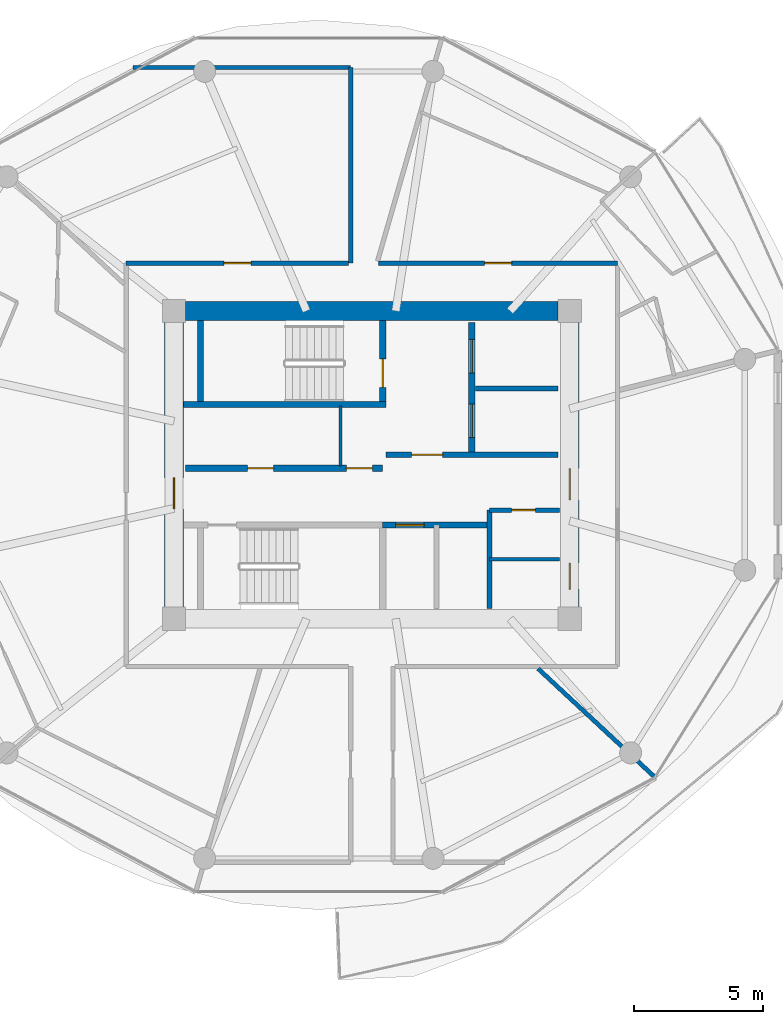
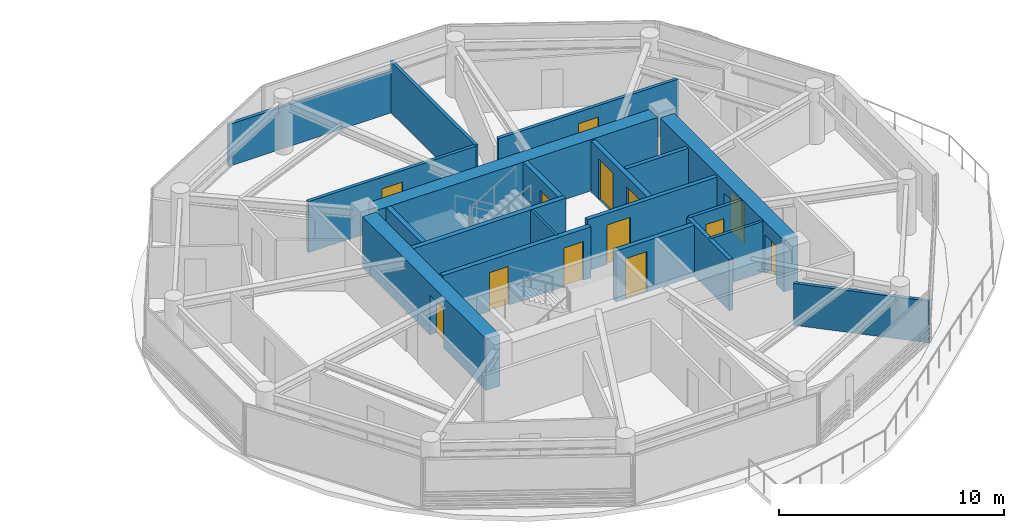
# One storey, part 16 of 22: 20 walls, 13 doors, 13 openings.
"""IFC4 building model written with IfcOpenShell, lengths in metres."""

import ifcopenshell
import ifcopenshell.guid

model = None  # the IFC model being written
_history = None  # IfcOwnerHistory: only IFC2X3 demands one
_inside = {}  # id of a spatial element -> (the spatial element, [elements in it])
_under = {}  # id of a project, library or spatial element -> (it, [spatial elements below it])
_declared = {}  # id of a project -> (the project, [libraries it declares])
_typed = {}  # id of a type object -> (the type object, [elements of that type])
_made_of = {}  # id of a material, layer set ... -> (it, [elements and type objects made of it])


def new_model(schema):
    """Start an empty IFC model of exactly this schema.

    Asked for "IFC4X3", IfcOpenShell would pick the latest addendum, in which some entities
    have other attributes; the version numbers below select the first issue.
    IFC2X3 requires an IfcOwnerHistory on every rooted entity: one is made here for all.
    """
    global model, _history
    if schema == "IFC4X3":
        model = ifcopenshell.file(schema_version=(4, 3, 0, 0))
    else:
        model = ifcopenshell.file(schema=schema)
    _inside.clear()
    _under.clear()
    _declared.clear()
    _typed.clear()
    _made_of.clear()
    _history = None
    if model.schema == "IFC2X3":
        org = make("IfcOrganization", Name="unknown")
        user = make(
            "IfcPersonAndOrganization",
            ThePerson=make("IfcPerson", FamilyName="unknown"),
            TheOrganization=org,
        )
        app = make(
            "IfcApplication",
            ApplicationDeveloper=org,
            Version="unknown",
            ApplicationFullName="unknown",
            ApplicationIdentifier="unknown",
        )
        _history = make(
            "IfcOwnerHistory",
            OwningUser=user,
            OwningApplication=app,
            ChangeAction="ADDED",
            CreationDate=0,
        )
    return model


def make(cls, **values):
    """One entity of the class cls with the attributes given. An attribute that is None is left unset."""
    return model.create_entity(
        cls, **{name: value for name, value in values.items() if value is not None}
    )


def rooted(cls, **values):
    """An entity with a GlobalId (a new one), such as an element, a storey or a relation."""
    return make(cls, GlobalId=ifcopenshell.guid.new(), OwnerHistory=_history, **values)


def si_unit(unit_type, name, prefix=None):
    """IfcSIUnit, for example si_unit("LENGTHUNIT", "METRE", prefix="MILLI")."""
    return make("IfcSIUnit", UnitType=unit_type, Prefix=prefix, Name=name)


def assignment(units):
    """IfcUnitAssignment: the units of a project."""
    return None if units is None else make("IfcUnitAssignment", Units=units)


def point(xyz):
    """IfcCartesianPoint."""
    return None if xyz is None else make("IfcCartesianPoint", Coordinates=xyz)


def direction(xyz):
    """IfcDirection."""
    return None if xyz is None else make("IfcDirection", DirectionRatios=xyz)


def frame(location, z_axis=None, x_axis=None):
    """IfcAxis2Placement3D, a coordinate frame: its origin and axes. An axis left out is left unset."""
    return make(
        "IfcAxis2Placement3D",
        Location=point(location),
        Axis=direction(z_axis),
        RefDirection=direction(x_axis),
    )


def frame_2d(location, x_axis=None):
    """IfcAxis2Placement2D, a coordinate frame in the plane: its origin and x axis."""
    return make(
        "IfcAxis2Placement2D", Location=point(location), RefDirection=direction(x_axis)
    )


def origin():
    """The frame at (0, 0, 0) with its axes left unset."""
    return frame((0.0, 0.0, 0.0))


def place(relative_to, where):
    """IfcLocalPlacement: puts the frame where relative to a parent placement (None: the world)."""
    return make(
        "IfcLocalPlacement", PlacementRelTo=relative_to, RelativePlacement=where
    )


def context(
    kind, dimensions, precision=None, world=None, true_north=None, identifier=None
):
    """IfcGeometricRepresentationContext, for example the 3D "Model" context."""
    return make(
        "IfcGeometricRepresentationContext",
        ContextIdentifier=identifier,
        ContextType=kind,
        CoordinateSpaceDimension=dimensions,
        Precision=precision,
        WorldCoordinateSystem=world,
        TrueNorth=true_north,
    )


def subcontext(parent, identifier, kind, view, scale=None):
    """IfcGeometricRepresentationSubContext, for example "Body" below "Model"."""
    return make(
        "IfcGeometricRepresentationSubContext",
        ContextIdentifier=identifier,
        ContextType=kind,
        ParentContext=parent,
        TargetScale=scale,
        TargetView=view,
    )


def project(units=None, contexts=None):
    """IfcProject with its units and contexts."""
    return rooted(
        "IfcProject",
        Name="project",
        RepresentationContexts=contexts,
        UnitsInContext=assignment(units),
    )


def spatial(cls, under=None, at=None, **own):
    """A site, building, storey or space (cls), placed at a placement, below another one or the project."""
    s = rooted(cls, ObjectPlacement=at, **own)
    if under is not None:
        _under.setdefault(under.id(), (under, []))[1].append(s)
    return s


def profile(cls, at=None, kind="AREA", **sizes):
    """A parametric profile (cls). Its sizes go by their IFC names, for example OverallWidth=200.0."""
    return make(cls, ProfileType=kind, Position=at, **sizes)


def rectangle(**sizes):
    """IfcRectangleProfileDef."""
    return profile("IfcRectangleProfileDef", **sizes)


def extrude(swept, where, along, depth):
    """IfcExtrudedAreaSolid: the profile swept, set in the frame where, extruded along a direction by depth."""
    return make(
        "IfcExtrudedAreaSolid",
        SweptArea=swept,
        Position=where,
        ExtrudedDirection=direction(along),
        Depth=depth,
    )


def shape(context_of_items, identifier, shape_type, items):
    """IfcShapeRepresentation: the items that make up one representation, for example the "Body"."""
    return make(
        "IfcShapeRepresentation",
        ContextOfItems=context_of_items,
        RepresentationIdentifier=identifier,
        RepresentationType=shape_type,
        Items=items,
    )


def source(mapping_origin, context_of_items, identifier, shape_type, items):
    """IfcRepresentationMap: a shape defined once, which mapped items show again and again."""
    return make(
        "IfcRepresentationMap",
        MappingOrigin=mapping_origin,
        MappedRepresentation=shape(context_of_items, identifier, shape_type, items),
    )


def transform(
    local_origin,
    x_axis=None,
    y_axis=None,
    z_axis=None,
    scale=None,
    scale2=None,
    scale3=None,
    uniform=True,
):
    """IfcCartesianTransformationOperator3D, or its non-uniform kind. x_axis, y_axis, z_axis: its Axis1, 2, 3."""
    if uniform:
        return make(
            "IfcCartesianTransformationOperator3D",
            Axis1=direction(x_axis),
            Axis2=direction(y_axis),
            LocalOrigin=point(local_origin),
            Scale=scale,
            Axis3=direction(z_axis),
        )
    return make(
        "IfcCartesianTransformationOperator3DnonUniform",
        Axis1=direction(x_axis),
        Axis2=direction(y_axis),
        LocalOrigin=point(local_origin),
        Scale=scale,
        Axis3=direction(z_axis),
        Scale2=scale2,
        Scale3=scale3,
    )


def mapped(mapping_source, mapping_target):
    """IfcMappedItem: shows the shape of a source again, moved by a transform."""
    return make(
        "IfcMappedItem", MappingSource=mapping_source, MappingTarget=mapping_target
    )


def material(Name=None, Category=None):
    """IfcMaterial."""
    return make("IfcMaterial", Name=Name, Category=Category)


def layer(
    of_material, thickness, ventilated=None, Name=None, Category=None, Priority=None
):
    """IfcMaterialLayer: one layer of a wall or slab, of a material (None: an air gap)."""
    return make(
        "IfcMaterialLayer",
        Material=of_material,
        LayerThickness=thickness,
        IsVentilated=ventilated,
        Name=Name,
        Category=Category,
        Priority=Priority,
    )


def layer_set(layers, Name=None):
    """IfcMaterialLayerSet."""
    return make("IfcMaterialLayerSet", MaterialLayers=layers, LayerSetName=Name)


def made_of(thing, what):
    """Note that an element or type object is made of a material, layer set ...; save() writes the relation."""
    if what is not None:
        _made_of.setdefault(what.id(), (what, []))[1].append(thing)
    return thing


def type_object(cls, material=None, **own):
    """A type object (cls), such as IfcWallType, which elements share."""
    return made_of(rooted(cls, **own), material)


def type_shapes(of_type, sources):
    """Give a type object the sources (RepresentationMaps) that its elements show as mapped items."""
    of_type.RepresentationMaps = sources


def element(
    cls,
    number,
    at=None,
    inside=None,
    cuts=None,
    type_object=None,
    material=None,
    context=None,
    identifier="Body",
    shape_type=None,
    held_by="IfcProductDefinitionShape",
    body=None,
    shapes=None,
    **own,
):
    """One element of the class cls, such as IfcWall. Its Tag is "e" and its number.

    at: its placement. inside: the storey or other place that contains it. cuts: it is an
    opening in that element (IfcRelVoidsElement). A single representation is given by context,
    identifier, shape_type and body (its items); several are given by shapes. held_by: the class
    of the entity that holds the representations. save() writes the other relations.
    """
    e = rooted(cls, Tag="e%d" % number, ObjectPlacement=at, **own)
    if body is not None:
        shapes = [shape(context, identifier, shape_type, body)]
    if shapes is not None:
        e.Representation = make(held_by, Representations=shapes)
    if inside is not None:
        _inside.setdefault(inside.id(), (inside, []))[1].append(e)
    if cuts is not None:
        rooted(
            "IfcRelVoidsElement", RelatingBuildingElement=cuts, RelatedOpeningElement=e
        )
    if type_object is not None:
        _typed.setdefault(type_object.id(), (type_object, []))[1].append(e)
    return made_of(e, material)


def fill(opening, filler):
    """IfcRelFillsElement: the door or window that sits in an opening."""
    return rooted(
        "IfcRelFillsElement",
        RelatingOpeningElement=opening,
        RelatedBuildingElement=filler,
    )


def aggregate(whole, parts):
    """IfcRelAggregates: a whole, such as a stair, and the parts it consists of."""
    return rooted("IfcRelAggregates", RelatingObject=whole, RelatedObjects=parts)


def save(model, path):
    """Write the relations noted so far, then the file.

    IfcRelAggregates (storeys below a building ...), IfcRelContainedInSpatialStructure (elements
    in a storey), IfcRelDefinesByType, IfcRelAssociatesMaterial and IfcRelDeclares: one each for
    every whole, place, type object, material and project.
    """
    for whole, parts in _under.values():
        aggregate(whole, parts)
    for where, things in _inside.values():
        rooted(
            "IfcRelContainedInSpatialStructure",
            RelatedElements=things,
            RelatingStructure=where,
        )
    for kind, things in _typed.values():
        rooted("IfcRelDefinesByType", RelatedObjects=things, RelatingType=kind)
    for what, things in _made_of.values():
        rooted("IfcRelAssociatesMaterial", RelatedObjects=things, RelatingMaterial=what)
    for by, libraries in _declared.values():
        rooted("IfcRelDeclares", RelatingContext=by, RelatedDefinitions=libraries)
    model.write(path)


model = new_model("IFC4")

# Units and contexts
model_context = context("Model", 3, precision=1e-05, world=origin(), true_north=direction((0.0, 1.0)))
body_context = subcontext(model_context, "Body", "Model", "MODEL_VIEW")
ifc_project = project(units=[si_unit("LENGTHUNIT", "METRE"), si_unit("AREAUNIT", "SQUARE_METRE"), si_unit("VOLUMEUNIT", "CUBIC_METRE"), si_unit("PLANEANGLEUNIT", "RADIAN"), si_unit("MASSUNIT", "GRAM", prefix="KILO")], contexts=[model_context])

# Site, building, storey
site_placement = place(None, origin())
site = spatial("IfcSite", under=ifc_project, at=site_placement, CompositionType="ELEMENT")
building_placement = place(site_placement, origin())
building = spatial("IfcBuilding", under=site, at=building_placement, Name="Norrkilde Senior Care Towers", CompositionType="ELEMENT")
storey_placement = place(building_placement, frame((0.0, 0.0, 96.25)))
storey = spatial("IfcBuildingStorey", under=building, at=storey_placement, Name="L29", CompositionType="ELEMENT", Elevation=96.25)

# Wall
ifc_material_1 = material(Name="Concrete C60/75", Category="concrete")
ifc_layer_1 = layer(ifc_material_1, 0.719970703125)
ifc_layer_set_1 = layer_set([ifc_layer_1], Name="Concrete C60/75")
wall_type_1 = type_object("IfcWallType", Name="Core Shear Wall Z2 720", PredefinedType="SHEAR", material=ifc_layer_set_1)
shared_shape_1 = source(origin(), body_context, "Body", "SweptSolid", [
    extrude(rectangle(XDim=14.39990234375, YDim=0.719970703125, at=frame_2d((7.199951171875, 0.0))), origin(), (0.0, 0.0, 1.0), 2.7900390625),
])
wall_1_placement = place(storey_placement, frame((20.800048828125, 5.949951171875, 0.0), z_axis=(0.0, 0.0, 1.0), x_axis=(1.0, 0.0, 0.0)))
element("IfcWall", 1, at=wall_1_placement, inside=storey, type_object=wall_type_1, Name="L29 Core E North Shear Wall", PredefinedType="SHEAR", context=body_context, shape_type="MappedRepresentation", body=[
    mapped(shared_shape_1, transform((0.0, 0.0, 0.0), x_axis=(1.0, 0.0, 0.0), y_axis=(0.0, 1.0, 0.0), z_axis=(0.0, 0.0, 1.0), scale=1.0)),
])

# Wall, opening, door
shared_shape_2 = source(origin(), body_context, "Body", "SweptSolid", [
    extrude(rectangle(XDim=11.0, YDim=0.719970703125, at=frame_2d((5.5, 0.0))), origin(), (0.0, 0.0, 1.0), 2.7900390625),
])
type_shapes(wall_type_1, [shared_shape_1, shared_shape_2])
wall_2_placement = place(storey_placement, frame((20.35009765625, -5.5, 0.0), z_axis=(0.0, 0.0, 1.0), x_axis=(0.0, 1.0, 0.0)))
wall_2 = element("IfcWall", 2, at=wall_2_placement, inside=storey, type_object=wall_type_1, Name="L29 Core E West Shear Wall", PredefinedType="SHEAR", context=body_context, shape_type="MappedRepresentation", body=[
    mapped(shared_shape_2, transform((0.0, 0.0, 0.0), x_axis=(1.0, 0.0, 0.0), y_axis=(0.0, 1.0, 0.0), z_axis=(0.0, 0.0, 1.0), scale=1.0)),
])
opening_1_placement = place(wall_2_placement, frame((3.800048828125, 0.0, 0.0)))
opening_1 = element("IfcOpeningElement", 3, at=opening_1_placement, cuts=wall_2, Name="Opening D-04", PredefinedType="OPENING", context=body_context, shape_type="SweptSolid", body=[
    extrude(rectangle(XDim=1.199951171875, YDim=2.14990234375, at=frame_2d((0.60009765625, 1.074951171875))), frame((0.0, 0.369873046875, 0.0), z_axis=(0.0, -1.0, 0.0), x_axis=(1.0, 0.0, 0.0)), (0.0, 0.0, 1.0), 0.739990234375),
])
ifc_material_2 = material(Name="Galvanised Painted Steel", Category="steel")
door_type_1 = type_object("IfcDoorType", Name="Firefighting Lobby Fire Door 1200x2150", OperationType="NOTDEFINED", PredefinedType="DOOR", material=ifc_material_2)
shared_shape_3 = source(origin(), body_context, "Body", "SweptSolid", [
    extrude(rectangle(XDim=1.199951171875, YDim=2.14990234375, at=frame_2d((0.60009765625, 1.074951171875))), frame((0.0, 0.02490234375, 0.0), z_axis=(0.0, -1.0, 0.0), x_axis=(1.0, 0.0, 0.0)), (0.0, 0.0, 1.0), 0.050048828125),
])
type_shapes(door_type_1, [shared_shape_3])
door_1_placement = place(opening_1_placement, frame((1.199951171875, 0.0, 0.0), z_axis=(0.0, 0.0, 1.0), x_axis=(-1.0, 0.0, 0.0)))
door_1 = element("IfcDoor", 4, at=door_1_placement, inside=storey, type_object=door_type_1, Name="L29 Core E West Portal Door", OperationType="SINGLE_SWING_LEFT", OverallHeight=2.14990234375, OverallWidth=1.199951171875, PredefinedType="DOOR", context=body_context, shape_type="MappedRepresentation", body=[
    mapped(shared_shape_3, transform((0.0, 0.0, 0.0), x_axis=(1.0, 0.0, 0.0), y_axis=(0.0, 1.0, 0.0), z_axis=(0.0, 0.0, 1.0), scale=1.0)),
])
fill(opening_1, door_1)

# Wall, openings, doors
wall_3_placement = place(storey_placement, frame((35.64990234375, 5.5, 0.0), z_axis=(0.0, 0.0, 1.0), x_axis=(0.0, -1.0, 0.0)))
wall_3 = element("IfcWall", 5, at=wall_3_placement, inside=storey, type_object=wall_type_1, Name="L29 Core E East Shear Wall", PredefinedType="SHEAR", context=body_context, shape_type="MappedRepresentation", body=[
    mapped(shared_shape_2, transform((0.0, 0.0, 0.0), x_axis=(1.0, 0.0, 0.0), y_axis=(0.0, 1.0, 0.0), z_axis=(0.0, 0.0, 1.0), scale=1.0)),
])
opening_2_placement = place(wall_3_placement, frame((5.64990234375, 0.0, 0.0)))
opening_2 = element("IfcOpeningElement", 6, at=opening_2_placement, cuts=wall_3, Name="Opening D-04", PredefinedType="OPENING", context=body_context, shape_type="SweptSolid", body=[
    extrude(rectangle(XDim=1.199951171875, YDim=2.14990234375, at=frame_2d((0.60009765625, 1.074951171875))), frame((0.0, 0.369873046875, 0.0), z_axis=(0.0, -1.0, 0.0), x_axis=(1.0, 0.0, 0.0)), (0.0, 0.0, 1.0), 0.739990234375),
])
opening_3_placement = place(wall_3_placement, frame((9.300048828125, 0.0, 0.0)))
opening_3 = element("IfcOpeningElement", 7, at=opening_3_placement, cuts=wall_3, Name="Opening D-10", PredefinedType="OPENING", context=body_context, shape_type="SweptSolid", body=[
    extrude(rectangle(XDim=1.0, YDim=2.10009765625, at=frame_2d((0.5, 1.050048828125))), frame((0.0, 0.369873046875, 0.0), z_axis=(0.0, -1.0, 0.0), x_axis=(1.0, 0.0, 0.0)), (0.0, 0.0, 1.0), 0.739990234375),
])
door_2_placement = place(opening_2_placement, frame((1.199951171875, 0.0, 0.0), z_axis=(0.0, 0.0, 1.0), x_axis=(-1.0, 0.0, 0.0)))
door_2 = element("IfcDoor", 8, at=door_2_placement, inside=storey, type_object=door_type_1, Name="L29 Core E East Portal Door", OperationType="SINGLE_SWING_RIGHT", OverallHeight=2.14990234375, OverallWidth=1.199951171875, PredefinedType="DOOR", context=body_context, shape_type="MappedRepresentation", body=[
    mapped(shared_shape_3, transform((0.0, 0.0, 0.0), x_axis=(1.0, 0.0, 0.0), y_axis=(0.0, 1.0, 0.0), z_axis=(0.0, 0.0, 1.0), scale=1.0)),
])
fill(opening_2, door_2)
door_type_2 = type_object("IfcDoorType", Name="Plant and Riser Rated Door 1000x2100", OperationType="NOTDEFINED", PredefinedType="DOOR", material=ifc_material_2)
shared_shape_4 = source(origin(), body_context, "Body", "SweptSolid", [
    extrude(rectangle(XDim=1.0, YDim=2.10009765625, at=frame_2d((0.5, 1.050048828125))), frame((0.0, 0.02490234375, 0.0), z_axis=(0.0, -1.0, 0.0), x_axis=(1.0, 0.0, 0.0)), (0.0, 0.0, 1.0), 0.050048828125),
])
type_shapes(door_type_2, [shared_shape_4])
door_3_placement = place(opening_3_placement, frame((1.0, 0.0, 0.0), z_axis=(0.0, 0.0, 1.0), x_axis=(-1.0, 0.0, 0.0)))
door_3 = element("IfcDoor", 9, at=door_3_placement, inside=storey, type_object=door_type_2, Name="L29 Ventilation Riser E Door", OperationType="SINGLE_SWING_RIGHT", OverallHeight=2.10009765625, OverallWidth=1.0, PredefinedType="DOOR", context=body_context, shape_type="MappedRepresentation", body=[
    mapped(shared_shape_4, transform((0.0, 0.0, 0.0), x_axis=(1.0, 0.0, 0.0), y_axis=(0.0, 1.0, 0.0), z_axis=(0.0, 0.0, 1.0), scale=1.0)),
])
fill(opening_3, door_3)

ifc_material_3 = material(Name="Concrete C45/55", Category="concrete")
ifc_layer_2 = layer(ifc_material_3, 0.239990234375)
ifc_layer_set_2 = layer_set([ifc_layer_2], Name="Concrete C45/55")
wall_type_2 = type_object("IfcWallType", Name="Lift and Plant Rated Enclosure Partition 240", PredefinedType="PARTITIONING", material=ifc_layer_set_2)
shared_shape_5 = source(origin(), body_context, "Body", "SweptSolid", [
    extrude(rectangle(XDim=5.0, YDim=0.239990234375, at=frame_2d((2.5, 0.0))), origin(), (0.0, 0.0, 1.0), 2.77490234375),
])
wall_4_placement = place(storey_placement, frame((31.860107421875, 0.5, 0.0), z_axis=(0.0, 0.0, 1.0), x_axis=(0.0, 1.0, 0.0)))
wall_4 = element("IfcWall", 10, at=wall_4_placement, inside=storey, type_object=wall_type_2, Name="WL-INT-L29-E-FFLE", PredefinedType="PARTITIONING", context=body_context, shape_type="MappedRepresentation", body=[
    mapped(shared_shape_5, transform((0.0, 0.0, 0.0), x_axis=(1.0, 0.0, 0.0), y_axis=(0.0, 1.0, 0.0), z_axis=(0.0, 0.0, 1.0), scale=1.0)),
])
opening_4_placement = place(wall_4_placement, frame((3.050048828125, 0.0, 0.0)))
opening_4 = element("IfcOpeningElement", 11, at=opening_4_placement, cuts=wall_4, Name="Opening LD-02", PredefinedType="OPENING", context=body_context, shape_type="SweptSolid", body=[
    extrude(rectangle(XDim=1.300048828125, YDim=2.199951171875, at=frame_2d((0.64990234375, 1.10009765625))), frame((0.0, 0.1298828125, 0.0), z_axis=(0.0, -1.0, 0.0), x_axis=(1.0, 0.0, 0.0)), (0.0, 0.0, 1.0), 0.260009765625),
])
opening_5_placement = place(wall_4_placement, frame((0.550048828125, 0.0, 0.0)))
opening_5 = element("IfcOpeningElement", 12, at=opening_5_placement, cuts=wall_4, Name="Opening LD-02", PredefinedType="OPENING", context=body_context, shape_type="SweptSolid", body=[
    extrude(rectangle(XDim=1.300048828125, YDim=2.199951171875, at=frame_2d((0.64990234375, 1.10009765625))), frame((0.0, 0.1298828125, 0.0), z_axis=(0.0, -1.0, 0.0), x_axis=(1.0, 0.0, 0.0)), (0.0, 0.0, 1.0), 0.260009765625),
])
ifc_material_4 = material(Name="Stainless Steel", Category="steel")
door_type_3 = type_object("IfcDoorType", Name="Stretcher and FFL Landing Sliding Door 1300x2200", OperationType="NOTDEFINED", PredefinedType="DOOR", material=ifc_material_4)
shared_shape_6 = source(origin(), body_context, "Body", "SweptSolid", [
    extrude(rectangle(XDim=1.300048828125, YDim=2.199951171875, at=frame_2d((0.64990234375, 1.10009765625))), frame((0.0, 0.02490234375, 0.0), z_axis=(0.0, -1.0, 0.0), x_axis=(1.0, 0.0, 0.0)), (0.0, 0.0, 1.0), 0.050048828125),
])
type_shapes(door_type_3, [shared_shape_6])
door_4_placement = place(opening_4_placement, origin())
door_4 = element("IfcDoor", 13, at=door_4_placement, inside=storey, type_object=door_type_3, Name="L29 Firefighting Lift E1 Landing Door", OperationType="SLIDING_TO_LEFT", OverallHeight=2.199951171875, OverallWidth=1.300048828125, PredefinedType="DOOR", context=body_context, shape_type="MappedRepresentation", body=[
    mapped(shared_shape_6, transform((0.0, 0.0, 0.0), x_axis=(1.0, 0.0, 0.0), y_axis=(0.0, 1.0, 0.0), z_axis=(0.0, 0.0, 1.0), scale=1.0)),
])
fill(opening_4, door_4)
door_5_placement = place(opening_5_placement, origin())
door_5 = element("IfcDoor", 14, at=door_5_placement, inside=storey, type_object=door_type_3, Name="L29 Stretcher Lift E1 Landing Door", OperationType="SLIDING_TO_RIGHT", OverallHeight=2.199951171875, OverallWidth=1.300048828125, PredefinedType="DOOR", context=body_context, shape_type="MappedRepresentation", body=[
    mapped(shared_shape_6, transform((0.0, 0.0, 0.0), x_axis=(1.0, 0.0, 0.0), y_axis=(0.0, 1.0, 0.0), z_axis=(0.0, 0.0, 1.0), scale=1.0)),
])
fill(opening_5, door_5)

# Wall
ifc_layer_3 = layer(ifc_material_3, 0.199951171875)
ifc_layer_set_3 = layer_set([ifc_layer_3], Name="Concrete C45/55")
wall_type_3 = type_object("IfcWallType", Name="Shaft Division and Plant Partition 200", PredefinedType="PARTITIONING", material=ifc_layer_set_3)
shared_shape_7 = source(origin(), body_context, "Body", "SweptSolid", [
    extrude(rectangle(XDim=3.199951171875, YDim=0.199951171875, at=frame_2d((1.60009765625, 0.0))), origin(), (0.0, 0.0, 1.0), 2.77490234375),
])
wall_5_placement = place(storey_placement, frame((32.0, 2.949951171875, 0.0), z_axis=(0.0, 0.0, 1.0), x_axis=(1.0, 0.0, 0.0)))
element("IfcWall", 15, at=wall_5_placement, inside=storey, type_object=wall_type_3, Name="WL-INT-L29-E-FFLDIV", PredefinedType="PARTITIONING", context=body_context, shape_type="MappedRepresentation", body=[
    mapped(shared_shape_7, transform((0.0, 0.0, 0.0), x_axis=(1.0, 0.0, 0.0), y_axis=(0.0, 1.0, 0.0), z_axis=(0.0, 0.0, 1.0), scale=1.0)),
])

# Wall, opening, door
ifc_layer_4 = layer(ifc_material_3, 0.2099609375)
ifc_layer_set_4 = layer_set([ifc_layer_4], Name="Concrete C45/55")
wall_type_4 = type_object("IfcWallType", Name="Firefighting Lobby Wall 210", PredefinedType="PARTITIONING", material=ifc_layer_set_4)
shared_shape_8 = source(origin(), body_context, "Body", "SweptSolid", [
    extrude(rectangle(XDim=6.659912109375, YDim=0.2099609375, at=frame_2d((3.330078125, 0.0))), origin(), (0.0, 0.0, 1.0), 2.77490234375),
])
type_shapes(wall_type_4, [shared_shape_8])
wall_6_placement = place(storey_placement, frame((28.5400390625, 0.389892578125, 0.0), z_axis=(0.0, 0.0, 1.0), x_axis=(1.0, 0.0, 0.0)))
wall_6 = element("IfcWall", 16, at=wall_6_placement, inside=storey, type_object=wall_type_4, Name="WL-INT-L29-E-FFLS", PredefinedType="PARTITIONING", context=body_context, shape_type="MappedRepresentation", body=[
    mapped(shared_shape_8, transform((0.0, 0.0, 0.0), x_axis=(1.0, 0.0, 0.0), y_axis=(0.0, 1.0, 0.0), z_axis=(0.0, 0.0, 1.0), scale=1.0)),
])
opening_6_placement = place(wall_6_placement, frame((1.0, 0.0, 0.0)))
opening_6 = element("IfcOpeningElement", 17, at=opening_6_placement, cuts=wall_6, Name="Opening D-04", PredefinedType="OPENING", context=body_context, shape_type="SweptSolid", body=[
    extrude(rectangle(XDim=1.199951171875, YDim=2.14990234375, at=frame_2d((0.60009765625, 1.074951171875))), frame((0.0, 0.114990234375, 0.0), z_axis=(0.0, -1.0, 0.0), x_axis=(1.0, 0.0, 0.0)), (0.0, 0.0, 1.0), 0.22998046875),
])
door_6_placement = place(opening_6_placement, frame((1.199951171875, 0.0, 0.0), z_axis=(0.0, 0.0, 1.0), x_axis=(-1.0, 0.0, 0.0)))
door_6 = element("IfcDoor", 18, at=door_6_placement, inside=storey, type_object=door_type_1, Name="L29 Firefighting Lobby E Door", OperationType="SINGLE_SWING_LEFT", OverallHeight=2.14990234375, OverallWidth=1.199951171875, PredefinedType="DOOR", context=body_context, shape_type="MappedRepresentation", body=[
    mapped(shared_shape_3, transform((0.0, 0.0, 0.0), x_axis=(1.0, 0.0, 0.0), y_axis=(0.0, 1.0, 0.0), z_axis=(0.0, 0.0, 1.0), scale=1.0)),
])
fill(opening_6, door_6)

# Wall, openings, doors
shared_shape_9 = source(origin(), body_context, "Body", "SweptSolid", [
    extrude(rectangle(XDim=7.619873046875, YDim=0.239990234375, at=frame_2d((3.81005859375, 0.0))), origin(), (0.0, 0.0, 1.0), 2.77490234375),
])
wall_7_placement = place(storey_placement, frame((20.800048828125, -0.1298828125, 0.0), z_axis=(0.0, 0.0, 1.0), x_axis=(1.0, 0.0, 0.0)))
wall_7 = element("IfcWall", 19, at=wall_7_placement, inside=storey, type_object=wall_type_2, Name="WL-INT-L29-E-PKAS", PredefinedType="PARTITIONING", context=body_context, shape_type="MappedRepresentation", body=[
    mapped(shared_shape_9, transform((0.0, 0.0, 0.0), x_axis=(1.0, 0.0, 0.0), y_axis=(0.0, 1.0, 0.0), z_axis=(0.0, 0.0, 1.0), scale=1.0)),
])
opening_7_placement = place(wall_7_placement, frame((6.219970703125, 0.0, 0.0)))
opening_7 = element("IfcOpeningElement", 20, at=opening_7_placement, cuts=wall_7, Name="Opening D-10", PredefinedType="OPENING", context=body_context, shape_type="SweptSolid", body=[
    extrude(rectangle(XDim=1.0, YDim=2.10009765625, at=frame_2d((0.5, 1.050048828125))), frame((0.0, 0.1298828125, 0.0), z_axis=(0.0, -1.0, 0.0), x_axis=(1.0, 0.0, 0.0)), (0.0, 0.0, 1.0), 0.260009765625),
])
opening_8_placement = place(wall_7_placement, frame((2.39990234375, 0.0, 0.0)))
opening_8 = element("IfcOpeningElement", 21, at=opening_8_placement, cuts=wall_7, Name="Opening D-10", PredefinedType="OPENING", context=body_context, shape_type="SweptSolid", body=[
    extrude(rectangle(XDim=1.0, YDim=2.10009765625, at=frame_2d((0.5, 1.050048828125))), frame((0.0, 0.1298828125, 0.0), z_axis=(0.0, -1.0, 0.0), x_axis=(1.0, 0.0, 0.0)), (0.0, 0.0, 1.0), 0.260009765625),
])
door_7_placement = place(opening_7_placement, frame((1.0, 0.0, 0.0), z_axis=(0.0, 0.0, 1.0), x_axis=(-1.0, 0.0, 0.0)))
door_7 = element("IfcDoor", 22, at=door_7_placement, inside=storey, type_object=door_type_2, Name="L29 Electrical Riser E Door", OperationType="SINGLE_SWING_LEFT", OverallHeight=2.10009765625, OverallWidth=1.0, PredefinedType="DOOR", context=body_context, shape_type="MappedRepresentation", body=[
    mapped(shared_shape_4, transform((0.0, 0.0, 0.0), x_axis=(1.0, 0.0, 0.0), y_axis=(0.0, 1.0, 0.0), z_axis=(0.0, 0.0, 1.0), scale=1.0)),
])
fill(opening_7, door_7)
door_8_placement = place(opening_8_placement, frame((1.0, 0.0, 0.0), z_axis=(0.0, 0.0, 1.0), x_axis=(-1.0, 0.0, 0.0)))
door_8 = element("IfcDoor", 23, at=door_8_placement, inside=storey, type_object=door_type_2, Name="L29 Clean Supply Store E Door", OperationType="SINGLE_SWING_LEFT", OverallHeight=2.10009765625, OverallWidth=1.0, PredefinedType="DOOR", context=body_context, shape_type="MappedRepresentation", body=[
    mapped(shared_shape_4, transform((0.0, 0.0, 0.0), x_axis=(1.0, 0.0, 0.0), y_axis=(0.0, 1.0, 0.0), z_axis=(0.0, 0.0, 1.0), scale=1.0)),
])
fill(opening_8, door_8)

# Walls
ifc_material_5 = material(Name="Gypsum Acoustic Board")
ifc_layer_5 = layer(ifc_material_5, 0.114990234375)
ifc_layer_set_5 = layer_set([ifc_layer_5], Name="Gypsum Acoustic Board")
wall_type_5 = type_object("IfcWallType", Name="Internal Room Partition 115", PredefinedType="PARTITIONING", material=ifc_layer_set_5)
shared_shape_10 = source(origin(), body_context, "Body", "SweptSolid", [
    extrude(rectangle(XDim=2.330078125, YDim=0.114990234375, at=frame_2d((1.1650390625, 0.0))), origin(), (0.0, 0.0, 1.0), 2.77490234375),
])
type_shapes(wall_type_5, [shared_shape_10])
wall_8_placement = place(storey_placement, frame((26.7900390625, -0.050048828125, 0.0), z_axis=(0.0, 0.0, 1.0), x_axis=(0.0, 1.0, 0.0)))
element("IfcWall", 24, at=wall_8_placement, inside=storey, type_object=wall_type_5, Name="WL-INT-L29-E-RISW", PredefinedType="PARTITIONING", context=body_context, shape_type="MappedRepresentation", body=[
    mapped(shared_shape_10, transform((0.0, 0.0, 0.0), x_axis=(1.0, 0.0, 0.0), y_axis=(0.0, 1.0, 0.0), z_axis=(0.0, 0.0, 1.0), scale=1.0)),
])
shared_shape_11 = source(origin(), body_context, "Body", "SweptSolid", [
    extrude(rectangle(XDim=3.800048828125, YDim=0.199951171875, at=frame_2d((1.89990234375, 0.0))), origin(), (0.0, 0.0, 1.0), 2.77490234375),
])
type_shapes(wall_type_3, [shared_shape_7, shared_shape_11])
wall_9_placement = place(storey_placement, frame((32.550048828125, -5.550048828125, 0.0), z_axis=(0.0, 0.0, 1.0), x_axis=(0.0, 1.0, 0.0)))
element("IfcWall", 25, at=wall_9_placement, inside=storey, type_object=wall_type_3, Name="WL-INT-L29-E-PKBE", PredefinedType="PARTITIONING", context=body_context, shape_type="MappedRepresentation", body=[
    mapped(shared_shape_11, transform((0.0, 0.0, 0.0), x_axis=(1.0, 0.0, 0.0), y_axis=(0.0, 1.0, 0.0), z_axis=(0.0, 0.0, 1.0), scale=1.0)),
])

# Wall, opening, door
shared_shape_12 = source(origin(), body_context, "Body", "SweptSolid", [
    extrude(rectangle(XDim=4.130126953125, YDim=0.239990234375, at=frame_2d((2.06494140625, 0.0))), origin(), (0.0, 0.0, 1.0), 2.77490234375),
])
type_shapes(wall_type_2, [shared_shape_5, shared_shape_9, shared_shape_12])
wall_10_placement = place(storey_placement, frame((28.419921875, -2.330078125, 0.0), z_axis=(0.0, 0.0, 1.0), x_axis=(1.0, 0.0, 0.0)))
wall_10 = element("IfcWall", 26, at=wall_10_placement, inside=storey, type_object=wall_type_2, Name="WL-INT-L29-E-PKBN", PredefinedType="PARTITIONING", context=body_context, shape_type="MappedRepresentation", body=[
    mapped(shared_shape_12, transform((0.0, 0.0, 0.0), x_axis=(1.0, 0.0, 0.0), y_axis=(0.0, 1.0, 0.0), z_axis=(0.0, 0.0, 1.0), scale=1.0)),
])
opening_9_placement = place(wall_10_placement, frame((0.5, 0.0, 0.0)))
opening_9 = element("IfcOpeningElement", 27, at=opening_9_placement, cuts=wall_10, Name="Opening LD-01", PredefinedType="OPENING", context=body_context, shape_type="SweptSolid", body=[
    extrude(rectangle(XDim=1.10009765625, YDim=2.199951171875, at=frame_2d((0.550048828125, 1.10009765625))), frame((0.0, 0.1298828125, 0.0), z_axis=(0.0, -1.0, 0.0), x_axis=(1.0, 0.0, 0.0)), (0.0, 0.0, 1.0), 0.260009765625),
])
door_type_4 = type_object("IfcDoorType", Name="Lift Landing Sliding Door 1100x2200", OperationType="NOTDEFINED", PredefinedType="DOOR", material=ifc_material_4)
shared_shape_13 = source(origin(), body_context, "Body", "SweptSolid", [
    extrude(rectangle(XDim=1.10009765625, YDim=2.199951171875, at=frame_2d((0.550048828125, 1.10009765625))), frame((0.0, 0.02490234375, 0.0), z_axis=(0.0, -1.0, 0.0), x_axis=(1.0, 0.0, 0.0)), (0.0, 0.0, 1.0), 0.050048828125),
])
type_shapes(door_type_4, [shared_shape_13])
door_9_placement = place(opening_9_placement, frame((1.10009765625, 0.0, 0.0), z_axis=(0.0, 0.0, 1.0), x_axis=(-1.0, 0.0, 0.0)))
door_9 = element("IfcDoor", 28, at=door_9_placement, inside=storey, type_object=door_type_4, Name="L29 Passenger Lift E3 Landing Door", OperationType="SLIDING_TO_LEFT", OverallHeight=2.199951171875, OverallWidth=1.10009765625, PredefinedType="DOOR", context=body_context, shape_type="MappedRepresentation", body=[
    mapped(shared_shape_13, transform((0.0, 0.0, 0.0), x_axis=(1.0, 0.0, 0.0), y_axis=(0.0, 1.0, 0.0), z_axis=(0.0, 0.0, 1.0), scale=1.0)),
])
fill(opening_9, door_9)

ifc_layer_6 = layer(ifc_material_5, 0.1650390625)
ifc_layer_set_6 = layer_set([ifc_layer_6], Name="Gypsum Acoustic Board")
wall_type_6 = type_object("IfcWallType", Name="Corridor Rated Partition 165", PredefinedType="PARTITIONING", material=ifc_layer_set_6)
shared_shape_14 = source(origin(), body_context, "Body", "SweptSolid", [
    extrude(rectangle(XDim=2.699951171875, YDim=0.1650390625, at=frame_2d((1.35009765625, 0.0))), origin(), (0.0, 0.0, 1.0), 2.77490234375),
])
wall_11_placement = place(storey_placement, frame((32.550048828125, -1.75, 0.0), z_axis=(0.0, 0.0, 1.0), x_axis=(1.0, 0.0, 0.0)))
wall_11 = element("IfcWall", 29, at=wall_11_placement, inside=storey, type_object=wall_type_6, Name="WL-INT-L29-E-CSN", PredefinedType="PARTITIONING", context=body_context, shape_type="MappedRepresentation", body=[
    mapped(shared_shape_14, transform((0.0, 0.0, 0.0), x_axis=(1.0, 0.0, 0.0), y_axis=(0.0, 1.0, 0.0), z_axis=(0.0, 0.0, 1.0), scale=1.0)),
])
opening_10_placement = place(wall_11_placement, frame((0.85009765625, 0.0, 0.0)))
opening_10 = element("IfcOpeningElement", 30, at=opening_10_placement, cuts=wall_11, Name="Opening D-12", PredefinedType="OPENING", context=body_context, shape_type="SweptSolid", body=[
    extrude(rectangle(XDim=0.925048828125, YDim=2.10009765625, at=frame_2d((0.46240234375, 1.050048828125))), frame((0.0, 0.092529296875, 0.0), z_axis=(0.0, -1.0, 0.0), x_axis=(1.0, 0.0, 0.0)), (0.0, 0.0, 1.0), 0.18505859375),
])
door_type_5 = type_object("IfcDoorType", Name="Core Wet Room Rated Door 925x2100", OperationType="NOTDEFINED", PredefinedType="DOOR", material=ifc_material_2)
shared_shape_15 = source(origin(), body_context, "Body", "SweptSolid", [
    extrude(rectangle(XDim=0.925048828125, YDim=2.10009765625, at=frame_2d((0.46240234375, 1.050048828125))), frame((0.0, 0.02490234375, 0.0), z_axis=(0.0, -1.0, 0.0), x_axis=(1.0, 0.0, 0.0)), (0.0, 0.0, 1.0), 0.050048828125),
])
type_shapes(door_type_5, [shared_shape_15])
door_10_placement = place(opening_10_placement, origin())
door_10 = element("IfcDoor", 31, at=door_10_placement, inside=storey, type_object=door_type_5, Name="L29 Staff WC E Door", OperationType="SINGLE_SWING_LEFT", OverallHeight=2.10009765625, OverallWidth=0.925048828125, PredefinedType="DOOR", context=body_context, shape_type="MappedRepresentation", body=[
    mapped(shared_shape_15, transform((0.0, 0.0, 0.0), x_axis=(1.0, 0.0, 0.0), y_axis=(0.0, 1.0, 0.0), z_axis=(0.0, 0.0, 1.0), scale=1.0)),
])
fill(opening_10, door_10)

# Walls
ifc_layer_7 = layer(ifc_material_5, 0.139892578125)
ifc_layer_set_7 = layer_set([ifc_layer_7], Name="Gypsum Acoustic Board")
wall_type_7 = type_object("IfcWallType", Name="En-suite Wet Room Wall 140", PredefinedType="PARTITIONING", material=ifc_layer_set_7)
shared_shape_16 = source(origin(), body_context, "Body", "SweptSolid", [
    extrude(rectangle(XDim=2.699951171875, YDim=0.139892578125, at=frame_2d((1.35009765625, 0.0))), origin(), (0.0, 0.0, 1.0), 2.77490234375),
])
type_shapes(wall_type_7, [shared_shape_16])
wall_12_placement = place(storey_placement, frame((32.550048828125, -3.64990234375, 0.0), z_axis=(0.0, 0.0, 1.0), x_axis=(1.0, 0.0, 0.0)))
element("IfcWall", 32, at=wall_12_placement, inside=storey, type_object=wall_type_7, Name="WL-INT-L29-E-CS2H", PredefinedType="PARTITIONING", context=body_context, shape_type="MappedRepresentation", body=[
    mapped(shared_shape_16, transform((0.0, 0.0, 0.0), x_axis=(1.0, 0.0, 0.0), y_axis=(0.0, 1.0, 0.0), z_axis=(0.0, 0.0, 1.0), scale=1.0)),
])
ifc_layer_8 = layer(ifc_material_3, 0.239990234375)
ifc_layer_set_8 = layer_set([ifc_layer_8], Name="Concrete C45/55")
wall_type_8 = type_object("IfcWallType", Name="Shaft and Stair Enclosure Wall 240", PredefinedType="PARTITIONING", material=ifc_layer_set_8)
shared_shape_17 = source(origin(), body_context, "Body", "SweptSolid", [
    extrude(rectangle(XDim=7.830078125, YDim=0.239990234375, at=frame_2d((3.9150390625, 0.0))), origin(), (0.0, 0.0, 1.0), 2.7900390625),
])
wall_13_placement = place(storey_placement, frame((20.7099609375, 2.330078125, 0.0), z_axis=(0.0, 0.0, 1.0), x_axis=(1.0, 0.0, 0.0)))
element("IfcWall", 33, at=wall_13_placement, inside=storey, type_object=wall_type_8, Name="WL-INT-L29-E-ST1S", PredefinedType="PARTITIONING", context=body_context, shape_type="MappedRepresentation", body=[
    mapped(shared_shape_17, transform((0.0, 0.0, 0.0), x_axis=(1.0, 0.0, 0.0), y_axis=(0.0, 1.0, 0.0), z_axis=(0.0, 0.0, 1.0), scale=1.0)),
])
shared_shape_18 = source(origin(), body_context, "Body", "SweptSolid", [
    extrude(rectangle(XDim=3.14013671875, YDim=0.239990234375, at=frame_2d((1.570068359375, 0.0))), origin(), (0.0, 0.0, 1.0), 2.7900390625),
])
type_shapes(wall_type_8, [shared_shape_17, shared_shape_18])
wall_14_placement = place(storey_placement, frame((21.3798828125, 2.449951171875, 0.0), z_axis=(0.0, 0.0, 1.0), x_axis=(0.0, 1.0, 0.0)))
element("IfcWall", 34, at=wall_14_placement, inside=storey, type_object=wall_type_8, Name="WL-INT-L29-E-ST1W", PredefinedType="PARTITIONING", context=body_context, shape_type="MappedRepresentation", body=[
    mapped(shared_shape_18, transform((0.0, 0.0, 0.0), x_axis=(1.0, 0.0, 0.0), y_axis=(0.0, 1.0, 0.0), z_axis=(0.0, 0.0, 1.0), scale=1.0)),
])

# Wall, opening, door
wall_15_placement = place(storey_placement, frame((28.419921875, 2.449951171875, 0.0), z_axis=(0.0, 0.0, 1.0), x_axis=(0.0, 1.0, 0.0)))
wall_15 = element("IfcWall", 35, at=wall_15_placement, inside=storey, type_object=wall_type_8, Name="WL-INT-L29-E-ST1E", PredefinedType="PARTITIONING", context=body_context, shape_type="MappedRepresentation", body=[
    mapped(shared_shape_18, transform((0.0, 0.0, 0.0), x_axis=(1.0, 0.0, 0.0), y_axis=(0.0, 1.0, 0.0), z_axis=(0.0, 0.0, 1.0), scale=1.0)),
])
opening_11_placement = place(wall_15_placement, frame((0.550048828125, 0.0, 0.0)))
opening_11 = element("IfcOpeningElement", 36, at=opening_11_placement, cuts=wall_15, Name="Opening D-03", PredefinedType="OPENING", context=body_context, shape_type="SweptSolid", body=[
    extrude(rectangle(XDim=1.10009765625, YDim=2.14990234375, at=frame_2d((0.550048828125, 1.074951171875))), frame((0.0, 0.1298828125, 0.0), z_axis=(0.0, -1.0, 0.0), x_axis=(1.0, 0.0, 0.0)), (0.0, 0.0, 1.0), 0.260009765625),
])
door_type_6 = type_object("IfcDoorType", Name="Stairwell Protected Fire Door 1100x2150", OperationType="NOTDEFINED", PredefinedType="DOOR", material=ifc_material_2)
shared_shape_19 = source(origin(), body_context, "Body", "SweptSolid", [
    extrude(rectangle(XDim=1.10009765625, YDim=2.14990234375, at=frame_2d((0.550048828125, 1.074951171875))), frame((0.0, 0.02490234375, 0.0), z_axis=(0.0, -1.0, 0.0), x_axis=(1.0, 0.0, 0.0)), (0.0, 0.0, 1.0), 0.050048828125),
])
type_shapes(door_type_6, [shared_shape_19])
door_11_placement = place(opening_11_placement, origin())
door_11 = element("IfcDoor", 37, at=door_11_placement, inside=storey, type_object=door_type_6, Name="L29 Stair E1 Fire Door", OperationType="SINGLE_SWING_LEFT", OverallHeight=2.14990234375, OverallWidth=1.10009765625, PredefinedType="DOOR", context=body_context, shape_type="MappedRepresentation", body=[
    mapped(shared_shape_19, transform((0.0, 0.0, 0.0), x_axis=(1.0, 0.0, 0.0), y_axis=(0.0, 1.0, 0.0), z_axis=(0.0, 0.0, 1.0), scale=1.0)),
])
fill(opening_11, door_11)

shared_shape_20 = source(origin(), body_context, "Body", "SweptSolid", [
    extrude(rectangle(XDim=8.60009765625, YDim=0.1650390625, at=frame_2d((4.300048828125, 0.0))), origin(), (0.0, 0.0, 1.0), 2.77490234375),
])
wall_16_placement = place(storey_placement, frame((18.5, 7.800048828125, 0.0), z_axis=(0.0, 0.0, 1.0), x_axis=(1.0, 0.0, 0.0)))
wall_16 = element("IfcWall", 38, at=wall_16_placement, inside=storey, type_object=wall_type_6, Name="WL-INT-L29-E-CRW-N-0", PredefinedType="PARTITIONING", context=body_context, shape_type="MappedRepresentation", body=[
    mapped(shared_shape_20, transform((0.0, 0.0, 0.0), x_axis=(1.0, 0.0, 0.0), y_axis=(0.0, 1.0, 0.0), z_axis=(0.0, 0.0, 1.0), scale=1.0)),
])
opening_12_placement = place(wall_16_placement, frame((3.77490234375, 0.0, 0.0)))
opening_12 = element("IfcOpeningElement", 39, at=opening_12_placement, cuts=wall_16, Name="Opening D-06", PredefinedType="OPENING", context=body_context, shape_type="SweptSolid", body=[
    extrude(rectangle(XDim=1.050048828125, YDim=2.14990234375, at=frame_2d((0.52490234375, 1.074951171875))), frame((0.0, 0.092529296875, 0.0), z_axis=(0.0, -1.0, 0.0), x_axis=(1.0, 0.0, 0.0)), (0.0, 0.0, 1.0), 0.18505859375),
])
ifc_material_6 = material(Name="Nordic Ash Timber", Category="wood")
door_type_7 = type_object("IfcDoorType", Name="Apartment Entrance Fire Door 1050x2150", OperationType="NOTDEFINED", PredefinedType="DOOR", material=ifc_material_6)
shared_shape_21 = source(origin(), body_context, "Body", "SweptSolid", [
    extrude(rectangle(XDim=1.050048828125, YDim=2.14990234375, at=frame_2d((0.52490234375, 1.074951171875))), frame((0.0, 0.02490234375, 0.0), z_axis=(0.0, -1.0, 0.0), x_axis=(1.0, 0.0, 0.0)), (0.0, 0.0, 1.0), 0.050048828125),
])
type_shapes(door_type_7, [shared_shape_21])
door_12_placement = place(opening_12_placement, frame((1.050048828125, 0.0, 0.0), z_axis=(0.0, 0.0, 1.0), x_axis=(-1.0, 0.0, 0.0)))
door_12 = element("IfcDoor", 40, at=door_12_placement, inside=storey, type_object=door_type_7, Name="L29 Reading Lounge NWL Door", OperationType="SINGLE_SWING_RIGHT", OverallHeight=2.14990234375, OverallWidth=1.050048828125, PredefinedType="DOOR", context=body_context, shape_type="MappedRepresentation", body=[
    mapped(shared_shape_21, transform((0.0, 0.0, 0.0), x_axis=(1.0, 0.0, 0.0), y_axis=(0.0, 1.0, 0.0), z_axis=(0.0, 0.0, 1.0), scale=1.0)),
])
fill(opening_12, door_12)

shared_shape_22 = source(origin(), body_context, "Body", "SweptSolid", [
    extrude(rectangle(XDim=9.234130859375, YDim=0.1650390625, at=frame_2d((4.6171875, 0.0))), origin(), (0.0, 0.0, 1.0), 2.77490234375),
])
wall_17_placement = place(storey_placement, frame((28.265869140625, 7.800048828125, 0.0), z_axis=(0.0, 0.0, 1.0), x_axis=(1.0, 0.0, 0.0)))
wall_17 = element("IfcWall", 41, at=wall_17_placement, inside=storey, type_object=wall_type_6, Name="WL-INT-L29-E-CRW-N-1", PredefinedType="PARTITIONING", context=body_context, shape_type="MappedRepresentation", body=[
    mapped(shared_shape_22, transform((0.0, 0.0, 0.0), x_axis=(1.0, 0.0, 0.0), y_axis=(0.0, 1.0, 0.0), z_axis=(0.0, 0.0, 1.0), scale=1.0)),
])
opening_13_placement = place(wall_17_placement, frame((4.092041015625, 0.0, 0.0)))
opening_13 = element("IfcOpeningElement", 42, at=opening_13_placement, cuts=wall_17, Name="Opening D-06", PredefinedType="OPENING", context=body_context, shape_type="SweptSolid", body=[
    extrude(rectangle(XDim=1.050048828125, YDim=2.14990234375, at=frame_2d((0.52490234375, 1.074951171875))), frame((0.0, 0.092529296875, 0.0), z_axis=(0.0, -1.0, 0.0), x_axis=(1.0, 0.0, 0.0)), (0.0, 0.0, 1.0), 0.18505859375),
])
door_13_placement = place(opening_13_placement, frame((1.050048828125, 0.0, 0.0), z_axis=(0.0, 0.0, 1.0), x_axis=(-1.0, 0.0, 0.0)))
door_13 = element("IfcDoor", 43, at=door_13_placement, inside=storey, type_object=door_type_7, Name="Apartment 29C Entrance Door", OperationType="SINGLE_SWING_LEFT", OverallHeight=2.14990234375, OverallWidth=1.050048828125, PredefinedType="DOOR", context=body_context, shape_type="MappedRepresentation", body=[
    mapped(shared_shape_21, transform((0.0, 0.0, 0.0), x_axis=(1.0, 0.0, 0.0), y_axis=(0.0, 1.0, 0.0), z_axis=(0.0, 0.0, 1.0), scale=1.0)),
])
fill(opening_13, door_13)

# Walls
shared_shape_23 = source(origin(), body_context, "Body", "SweptSolid", [
    extrude(rectangle(XDim=6.186767578125, YDim=0.1650390625, at=frame_2d((3.09326171875, 0.0))), origin(), (0.0, 0.0, 1.0), 2.27490234375),
])
wall_18_placement = place(storey_placement, frame((34.428955078125, -7.8798828125, 0.0), z_axis=(0.0, 0.0, 1.0), x_axis=(0.732501077882, -0.680765870841, 0.0)))
element("IfcWall", 44, at=wall_18_placement, inside=storey, type_object=wall_type_6, Name="WL-INT-L29-E-DEM-10-0", PredefinedType="PARTITIONING", context=body_context, shape_type="MappedRepresentation", body=[
    mapped(shared_shape_23, transform((0.0, 0.0, 0.0), x_axis=(1.0, 0.0, 0.0), y_axis=(0.0, 1.0, 0.0), z_axis=(0.0, 0.0, 1.0), scale=1.0)),
])
shared_shape_24 = source(origin(), body_context, "Body", "SweptSolid", [
    extrude(rectangle(XDim=7.56005859375, YDim=0.1650390625, at=frame_2d((3.780029296875, 0.0))), origin(), (0.0, 0.0, 1.0), 2.77490234375),
])
wall_19_placement = place(storey_placement, frame((27.179931640625, 7.800048828125, 0.0), z_axis=(0.0, 0.0, 1.0), x_axis=(0.0, 1.0, 0.0)))
element("IfcWall", 45, at=wall_19_placement, inside=storey, type_object=wall_type_6, Name="WL-INT-L29-E-PKW-NWL", PredefinedType="PARTITIONING", context=body_context, shape_type="MappedRepresentation", body=[
    mapped(shared_shape_24, transform((0.0, 0.0, 0.0), x_axis=(1.0, 0.0, 0.0), y_axis=(0.0, 1.0, 0.0), z_axis=(0.0, 0.0, 1.0), scale=1.0)),
])
shared_shape_25 = source(origin(), body_context, "Body", "SweptSolid", [
    extrude(rectangle(XDim=8.406982421875, YDim=0.1650390625, at=frame_2d((4.20361328125, 0.0))), origin(), (0.0, 0.0, 1.0), 2.27490234375),
])
type_shapes(wall_type_6, [shared_shape_14, shared_shape_20, shared_shape_22, shared_shape_23, shared_shape_24, shared_shape_25])
wall_20_placement = place(storey_placement, frame((18.77294921875, 15.360107421875, 0.0), z_axis=(0.0, 0.0, 1.0), x_axis=(1.0, 0.0, 0.0)))
element("IfcWall", 46, at=wall_20_placement, inside=storey, type_object=wall_type_6, Name="WL-INT-L29-E-PKH-NWL-0", PredefinedType="PARTITIONING", context=body_context, shape_type="MappedRepresentation", body=[
    mapped(shared_shape_25, transform((0.0, 0.0, 0.0), x_axis=(1.0, 0.0, 0.0), y_axis=(0.0, 1.0, 0.0), z_axis=(0.0, 0.0, 1.0), scale=1.0)),
])

save(model, "model.ifc")
